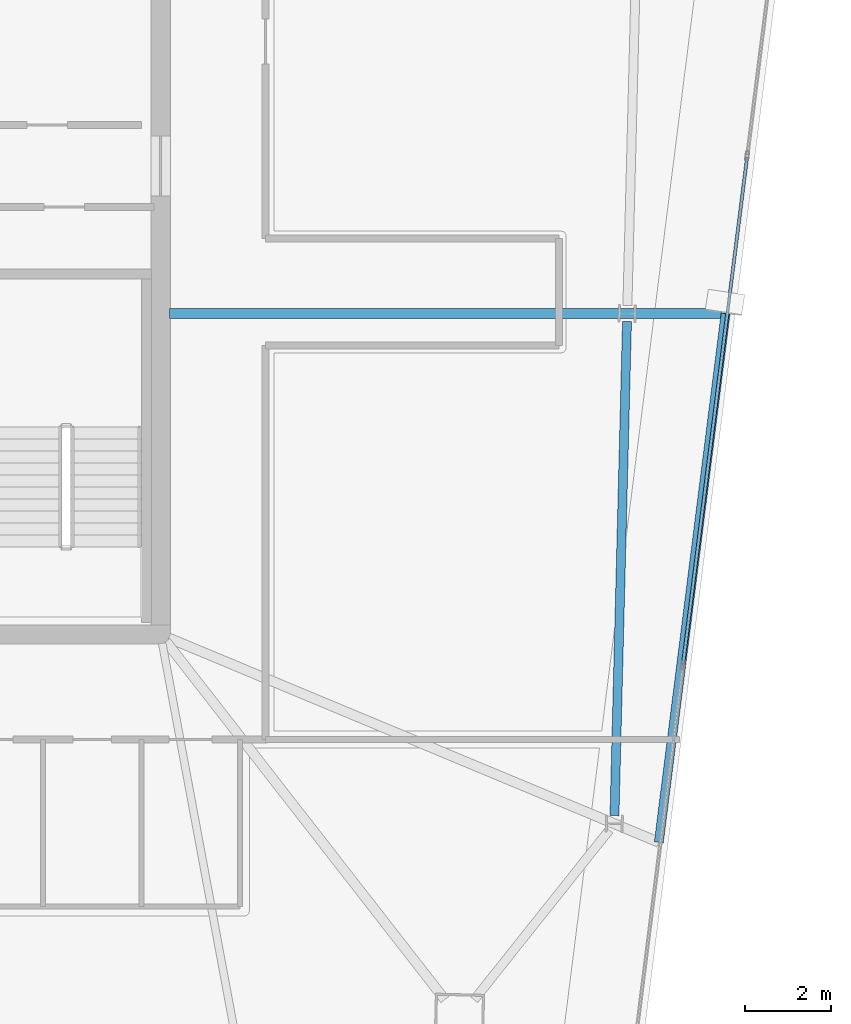
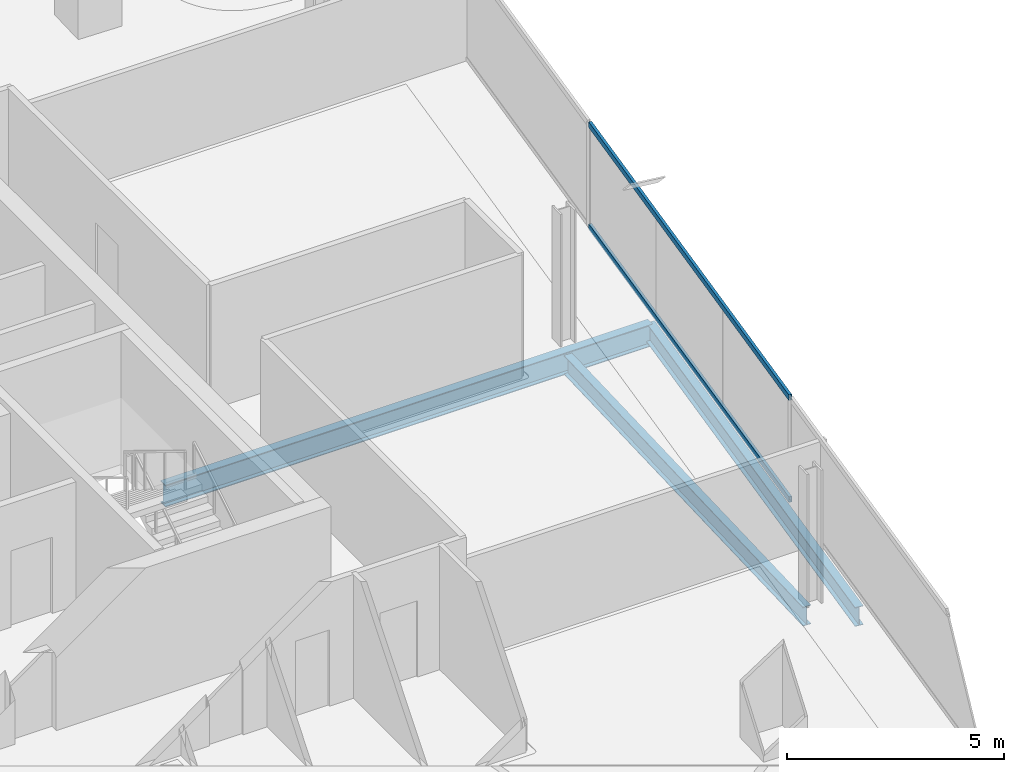
# One storey, part 9 of 23: 3 beams, 2 members, 1 element without a shape of its own.
"""IFC4 building model written with IfcOpenShell, lengths in metres."""

from ifc_helpers import new_model, si_unit, direction, frame, origin, origin_2d, place, context, subcontext, project, spatial, hollow_rectangle, i_section, extrude, material, material_profile, profile_set, type_object, element, aggregate, save


model = new_model("IFC4")

# Units and contexts
model_context = context("Model", 3, precision=1e-05, world=origin(), true_north=direction((0.0, 1.0)))
body_context = subcontext(model_context, "Body", "Model", "MODEL_VIEW")
ifc_project = project(units=[si_unit("LENGTHUNIT", "METRE"), si_unit("AREAUNIT", "SQUARE_METRE"), si_unit("VOLUMEUNIT", "CUBIC_METRE"), si_unit("PLANEANGLEUNIT", "RADIAN"), si_unit("MASSUNIT", "GRAM", prefix="KILO")], contexts=[model_context])

# Site, building, storey
site_placement = place(None, origin())
site = spatial("IfcSite", under=ifc_project, at=site_placement, CompositionType="ELEMENT")
building_placement = place(site_placement, origin())
building = spatial("IfcBuilding", under=site, at=building_placement, Name="Haldenkirk Collegiate Tower", CompositionType="ELEMENT")
storey_placement = place(building_placement, frame((0.0, 0.0, 306.449951171875)))
storey = spatial("IfcBuildingStorey", under=building, at=storey_placement, Name="L77", CompositionType="ELEMENT", Elevation=306.449951171875)

# Beams
ifc_material_1 = material(Name="Steel ASTM A992 Grade 50", Category="steel")
ifc_material_profile_1 = material_profile(ifc_material_1, i_section(OverallWidth=0.22998046875, OverallDepth=0.616943359375, WebThickness=0.01318359375, FlangeThickness=0.022216796875, at=origin_2d()), Name="W24X94")
ifc_profile_set_1 = profile_set([ifc_material_profile_1], Name="Steel ASTM A992 Grade 50")
beam_type_1 = type_object("IfcBeamType", Name="BM-GIRDER-W24X94", PredefinedType="BEAM", material=ifc_profile_set_1)
beam_1_placement = place(storey_placement, frame((58.19189453125, 25.496337890625, -0.568359375), z_axis=(-1.0, 0.0, 0.0), x_axis=(0.0, -1.0, 0.0)))
element("IfcBeam", 1, at=beam_1_placement, inside=storey, type_object=beam_type_1, Name="L77 primary floor girder 06", PredefinedType="BEAM", context=body_context, shape_type="SweptSolid", body=[
    extrude(i_section(OverallWidth=0.22998046875, OverallDepth=0.616943359375, WebThickness=0.01318359375, FlangeThickness=0.022216796875, at=origin_2d()), origin(), (0.0, 0.0, 1.0), 12.98681640625),
])
ifc_material_profile_2 = material_profile(ifc_material_1, i_section(OverallWidth=0.2099609375, OverallDepth=0.537109375, WebThickness=0.010986328125, FlangeThickness=0.017333984375, at=origin_2d()), Name="W21X68")
ifc_profile_set_2 = profile_set([ifc_material_profile_2], Name="Steel ASTM A992 Grade 50")
beam_type_2 = type_object("IfcBeamType", Name="BM-SPANDREL-W21X68", PredefinedType="SPANDREL", material=ifc_profile_set_2)
beam_2_placement = place(storey_placement, frame((55.596923828125, 13.772216796875, -0.528564453125), z_axis=(0.025302458902, 0.999679841536, 0.0), x_axis=(-0.999679841536, 0.025302458902, 0.0)))
element("IfcBeam", 2, at=beam_2_placement, inside=storey, type_object=beam_type_2, Name="L77 perimeter spandrel beam 02", PredefinedType="SPANDREL", context=body_context, shape_type="SweptSolid", body=[
    extrude(i_section(OverallWidth=0.2099609375, OverallDepth=0.537109375, WebThickness=0.010986328125, FlangeThickness=0.017333984375, at=origin_2d()), origin(), (0.0, 0.0, 1.0), 11.5400390625),
])
beam_3_placement = place(storey_placement, frame((56.63232421875, 13.150634765625, -0.528564453125), z_axis=(0.125328907667, 0.992115247793, 0.0), x_axis=(-0.992115247793, 0.125328907667, 0.0)))
element("IfcBeam", 3, at=beam_3_placement, inside=storey, type_object=beam_type_2, Name="L77 outer facade edge beam 1", PredefinedType="SPANDREL", context=body_context, shape_type="SweptSolid", body=[
    extrude(i_section(OverallWidth=0.2099609375, OverallDepth=0.537109375, WebThickness=0.010986328125, FlangeThickness=0.017333984375, at=origin_2d()), origin(), (0.0, 0.0, 1.0), 12.44384765625),
])

# Curtain wall, members
ifc_material_2 = material(Name="Anodised architectural bronze aluminium", Category="aluminium")
curtain_wall_type = type_object("IfcCurtainWallType", Name="CW-SYS2-CONCAVE", PredefinedType="USERDEFINED", material=ifc_material_2)
curtain_wall_placement = place(storey_placement, origin())
curtain_wall = element("IfcCurtainWall", 4, at=curtain_wall_placement, inside=storey, type_object=curtain_wall_type, Name="L77 South concave recessed bronze-anodised curtain wall", ObjectType="UNITISED CURTAIN WALL", PredefinedType="USERDEFINED")
ifc_material_profile_3 = material_profile(ifc_material_2, hollow_rectangle(XDim=0.074951171875, YDim=0.159912109375, WallThickness=0.0048828125, at=origin_2d()), Name="CW-TRN-02")
ifc_profile_set_3 = profile_set([ifc_material_profile_3], Name="Anodised architectural bronze aluminium")
member_type = type_object("IfcMemberType", Name="CW-TRN-02", PredefinedType="USERDEFINED", material=ifc_profile_set_3)
member_1_placement = place(storey_placement, frame((58.69287109375, 29.14306640625, 0.03759765625), z_axis=(-0.125337357599, -0.992114180319, 0.0), x_axis=(0.992114180319, -0.125337357599, 0.0)))
member_1 = element("IfcMember", 5, at=member_1_placement, type_object=member_type, Name="CW-02 transom 2.1", ObjectType="TRANSOM", PredefinedType="USERDEFINED", context=body_context, shape_type="SweptSolid", body=[
    extrude(hollow_rectangle(XDim=0.074951171875, YDim=0.159912109375, WallThickness=0.0048828125, at=origin_2d()), origin(), (0.0, 0.0, 1.0), 11.9248046875),
])
member_2_placement = place(storey_placement, frame((58.69287109375, 29.14306640625, 2.91064453125), z_axis=(-0.125337357599, -0.992114180319, 0.0), x_axis=(0.992114180319, -0.125337357599, 0.0)))
member_2 = element("IfcMember", 6, at=member_2_placement, type_object=member_type, Name="CW-02 transom 2.2", ObjectType="TRANSOM", PredefinedType="USERDEFINED", context=body_context, shape_type="SweptSolid", body=[
    extrude(hollow_rectangle(XDim=0.074951171875, YDim=0.159912109375, WallThickness=0.0048828125, at=origin_2d()), origin(), (0.0, 0.0, 1.0), 11.9248046875),
])
aggregate(curtain_wall, [member_1, member_2])

save(model, "model.ifc")
